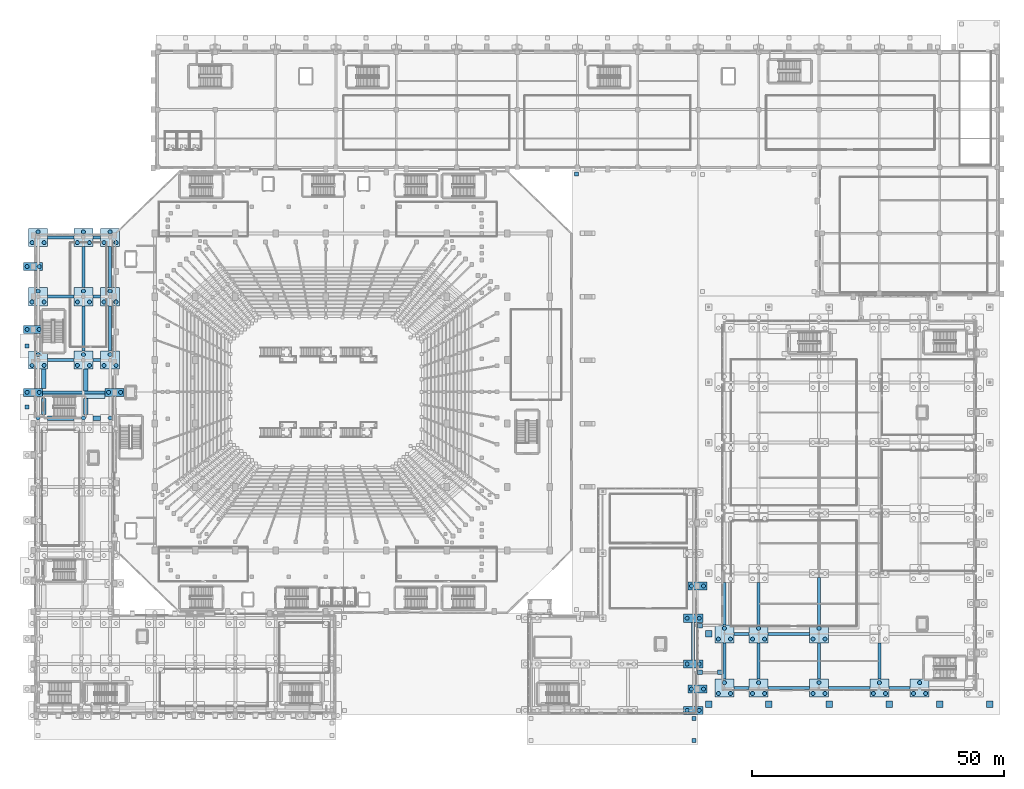
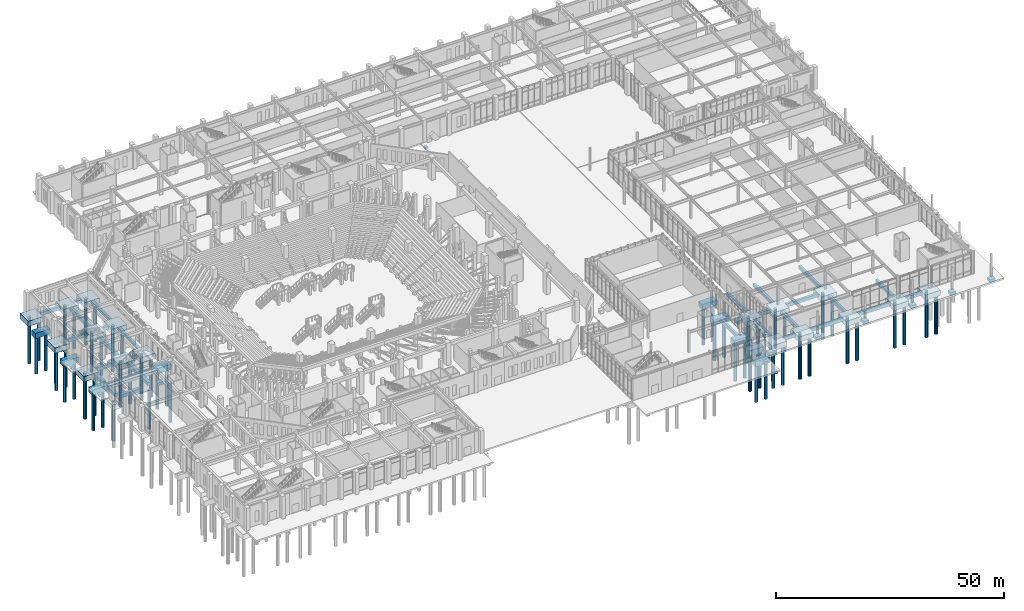
# One storey, part 3 of 143: 73 footings, 72 piles.
"""IFC4 building model written with IfcOpenShell, lengths in metres."""

from ifc_helpers import new_model, si_unit, derived_unit, direction, frame, origin, origin_2d, place, context, subcontext, project, spatial, rectangle, circle, extrude, material, layer, layer_set, material_profile, profile_set, type_object, element, save


model = new_model("IFC4")

# Units and contexts
model_context = context("Model", 3, precision=1e-05, world=origin(), true_north=direction((0.0, 1.0)))
body_context = subcontext(model_context, "Body", "Model", "MODEL_VIEW")
ifc_project = project(units=[si_unit("LENGTHUNIT", "METRE"), si_unit("AREAUNIT", "SQUARE_METRE"), si_unit("VOLUMEUNIT", "CUBIC_METRE"), si_unit("PLANEANGLEUNIT", "RADIAN"), si_unit("MASSUNIT", "GRAM", prefix="KILO"), derived_unit("THERMALTRANSMITTANCEUNIT", [(si_unit("MASSUNIT", "GRAM", prefix="KILO"), 1), (si_unit("TIMEUNIT", "SECOND"), -3), (si_unit("THERMODYNAMICTEMPERATUREUNIT", "KELVIN"), -1)])], contexts=[model_context])

# Site, building, storey
site_placement = place(None, origin())
site = spatial("IfcSite", under=ifc_project, at=site_placement, CompositionType="ELEMENT")
building_placement = place(site_placement, origin())
building = spatial("IfcBuilding", under=site, at=building_placement, Name="Valcora Ridge Arena", CompositionType="ELEMENT")
storey_placement = place(building_placement, origin())
storey = spatial("IfcBuildingStorey", under=building, at=storey_placement, Name="L00", CompositionType="ELEMENT", Elevation=0.0)

# Footings
ifc_material_1 = material(Name="Concrete C40/50", Category="concrete")
ifc_layer_1 = layer(ifc_material_1, 1.39990234375, Name="Concrete C40/50")
ifc_layer_set_1 = layer_set([ifc_layer_1], Name="Concrete C40/50")
footing_type_1 = type_object("IfcFootingType", Name="TY-FOOTING-PC-2P800", PredefinedType="PILE_CAP", material=ifc_layer_set_1)
for number, where, z_axis, x_axis, name in (
    (1, (131.0, 0.800048828125, -1.849853515625), (0.0, 0.0, 1.0), (1.0, 0.0, 0.0), "PC-2P800 FND-PC-0159"),
    (2, (131.0, 10.0, -1.849853515625), (0.0, 0.0, 1.0), (1.0, 0.0, 0.0), "PC-2P800 FND-PC-0163"),
    (3, (131.0, 19.10009765625, -1.849853515625), (0.0, 0.0, 1.0), (1.0, 0.0, 0.0), "PC-2P800 FND-PC-0165"),
    (4, (16.0, 64.0, -1.849853515625), (0.0, 0.0, 1.0), (1.0, 0.0, 0.0), "PC-2P800 FND-PC-0217"),
    (5, (-0.179931640625, 64.0, -1.849853515625), (0.0, 0.0, 1.0), (1.0, 0.0, 0.0), "PC-2P800 FND-PC-0254"),
    (6, (-0.179931640625, 76.5, -1.849853515625), (0.0, 0.0, 1.0), (1.0, 0.0, 0.0), "PC-2P800 FND-PC-0255"),
    (7, (-0.179931640625, 89.0, -1.849853515625), (0.0, 0.0, 1.0), (1.0, 0.0, 0.0), "PC-2P800 FND-PC-0256"),
    (8, (131.85009765625, 5.0, -1.849853515625), (0.0, 0.0, 1.0), (1.0, 0.0, 0.0), "PC-2P800 FND-PC-0257"),
    (9, (131.85009765625, 25.5, -1.849853515625), (0.0, 0.0, 1.0), (1.0, 0.0, 0.0), "PC-2P800 FND-PC-0258"),
):
    element("IfcFooting", number, at=place(storey_placement, frame(where, z_axis=z_axis, x_axis=x_axis)), inside=storey, type_object=footing_type_1, Name=name, PredefinedType="PILE_CAP", context=body_context, shape_type="SweptSolid", body=[
        extrude(rectangle(XDim=3.800048828125, YDim=1.60009765625, at=origin_2d()), origin(), (0.0, 0.0, 1.0), 1.39990234375),
    ])
ifc_layer_2 = layer(ifc_material_1, 1.39990234375, Name="Concrete C40/50")
ifc_layer_set_2 = layer_set([ifc_layer_2], Name="Concrete C40/50")
footing_type_2 = type_object("IfcFootingType", Name="TY-FOOTING-PC-3P800", PredefinedType="PILE_CAP", material=ifc_layer_set_2)
for number, where, z_axis, x_axis, name in (
    (10, (137.199951171875, 5.199951171875, -1.849853515625), (0.0, 0.0, 1.0), (1.0, 0.0, 0.0), "PC-3P800 FND-PC-0115"),
    (11, (137.199951171875, 16.0, -1.849853515625), (0.0, 0.0, 1.0), (1.0, 0.0, 0.0), "PC-3P800 FND-PC-0116"),
    (12, (144.0, 5.199951171875, -1.849853515625), (0.0, 0.0, 1.0), (1.0, 0.0, 0.0), "PC-3P800 FND-PC-0122"),
    (13, (144.0, 16.0, -1.849853515625), (0.0, 0.0, 1.0), (1.0, 0.0, 0.0), "PC-3P800 FND-PC-0123"),
    (14, (156.0, 5.199951171875, -1.849853515625), (0.0, 0.0, 1.0), (1.0, 0.0, 0.0), "PC-3P800 FND-PC-0129"),
    (15, (156.0, 16.0, -1.849853515625), (0.0, 0.0, 1.0), (1.0, 0.0, 0.0), "PC-3P800 FND-PC-0130"),
    (16, (168.0, 5.199951171875, -1.849853515625), (0.0, 0.0, 1.0), (1.0, 0.0, 0.0), "PC-3P800 FND-PC-0136"),
    (17, (176.0, 5.199951171875, -1.849853515625), (0.0, 0.0, 1.0), (1.0, 0.0, 0.0), "PC-3P800 FND-PC-0143"),
    (18, (0.800048828125, 70.39990234375, -1.849853515625), (0.0, 0.0, 1.0), (1.0, 0.0, 0.0), "PC-3P800 FND-PC-0195"),
    (19, (0.800048828125, 83.0, -1.849853515625), (0.0, 0.0, 1.0), (1.0, 0.0, 0.0), "PC-3P800 FND-PC-0196"),
    (20, (0.800048828125, 94.800048828125, -1.849853515625), (0.0, 0.0, 1.0), (1.0, 0.0, 0.0), "PC-3P800 FND-PC-0197"),
    (21, (9.800048828125, 70.39990234375, -1.849853515625), (0.0, 0.0, 1.0), (1.0, 0.0, 0.0), "PC-3P800 FND-PC-0201"),
    (22, (9.800048828125, 83.0, -1.849853515625), (0.0, 0.0, 1.0), (1.0, 0.0, 0.0), "PC-3P800 FND-PC-0202"),
    (23, (9.800048828125, 94.800048828125, -1.849853515625), (0.0, 0.0, 1.0), (1.0, 0.0, 0.0), "PC-3P800 FND-PC-0203"),
    (24, (15.10009765625, 70.39990234375, -1.849853515625), (0.0, 0.0, 1.0), (1.0, 0.0, 0.0), "PC-3P800 FND-PC-0207"),
    (25, (15.10009765625, 83.0, -1.849853515625), (0.0, 0.0, 1.0), (1.0, 0.0, 0.0), "PC-3P800 FND-PC-0208"),
    (26, (15.10009765625, 94.800048828125, -1.849853515625), (0.0, 0.0, 1.0), (1.0, 0.0, 0.0), "PC-3P800 FND-PC-0209"),
):
    element("IfcFooting", number, at=place(storey_placement, frame(where, z_axis=z_axis, x_axis=x_axis)), inside=storey, type_object=footing_type_2, Name=name, PredefinedType="PILE_CAP", context=body_context, shape_type="SweptSolid", body=[
        extrude(rectangle(XDim=3.800048828125, YDim=3.60009765625, at=origin_2d()), origin(), (0.0, 0.0, 1.0), 1.39990234375),
    ])
ifc_layer_3 = layer(ifc_material_1, 0.800048828125, Name="Concrete C40/50")
ifc_layer_set_3 = layer_set([ifc_layer_3], Name="Concrete C40/50")
footing_type_3 = type_object("IfcFootingType", Name="TY-FOOTING-PF-130", PredefinedType="PAD_FOOTING", material=ifc_layer_set_3)
for number, where, z_axis, x_axis, name in (
    (27, (134.050048828125, 2.050048828125, -1.25), (0.0, 0.0, 1.0), (1.0, 0.0, 0.0), "PF-130 FND-SF-0012"),
    (28, (134.050048828125, 16.0, -1.25), (0.0, 0.0, 1.0), (1.0, 0.0, 0.0), "PF-130 FND-SF-0013"),
    (29, (189.949951171875, 2.050048828125, -1.25), (0.0, 0.0, 1.0), (1.0, 0.0, 0.0), "PF-130 FND-SF-0019"),
    (30, (146.0, 2.050048828125, -1.25), (0.0, 0.0, 1.0), (1.0, 0.0, 0.0), "PF-130 FND-SF-0026"),
    (31, (158.0, 2.050048828125, -1.25), (0.0, 0.0, 1.0), (1.0, 0.0, 0.0), "PF-130 FND-SF-0027"),
    (32, (170.0, 2.050048828125, -1.25), (0.0, 0.0, 1.0), (1.0, 0.0, 0.0), "PF-130 FND-SF-0028"),
    (33, (180.0, 2.050048828125, -1.25), (0.0, 0.0, 1.0), (1.0, 0.0, 0.0), "PF-130 FND-SF-0029"),
):
    element("IfcFooting", number, at=place(storey_placement, frame(where, z_axis=z_axis, x_axis=x_axis)), inside=storey, type_object=footing_type_3, Name=name, PredefinedType="PAD_FOOTING", context=body_context, shape_type="SweptSolid", body=[
        extrude(rectangle(XDim=1.300048828125, YDim=1.300048828125, at=origin_2d()), origin(), (0.0, 0.0, 1.0), 0.800048828125),
    ])
ifc_layer_4 = layer(ifc_material_1, 0.800048828125, Name="Concrete C40/50")
ifc_layer_set_4 = layer_set([ifc_layer_4], Name="Concrete C40/50")
footing_type_4 = type_object("IfcFootingType", Name="TY-FOOTING-SF-BRG-900", PredefinedType="STRIP_FOOTING", material=ifc_layer_set_4)
for number, where, z_axis, x_axis, name in (
    (34, (132.35009765625, 8.35009765625, -1.25), (0.0, 0.0, 1.0), (1.0, 0.0, 0.0), "SF-BRG-900 FND-SF-0044"),
    (35, (136.300048828125, 8.35009765625, -1.25), (0.0, 0.0, 1.0), (1.0, 0.0, 0.0), "SF-BRG-900 FND-SF-0045"),
    (36, (132.35009765625, 17.64990234375, -1.25), (0.0, 0.0, 1.0), (1.0, 0.0, 0.0), "SF-BRG-900 FND-SF-0046"),
):
    element("IfcFooting", number, at=place(storey_placement, frame(where, z_axis=z_axis, x_axis=x_axis)), inside=storey, type_object=footing_type_4, Name=name, PredefinedType="STRIP_FOOTING", context=body_context, shape_type="SweptSolid", body=[
        extrude(rectangle(XDim=0.89990234375, YDim=0.89990234375, at=origin_2d()), origin(), (0.0, 0.0, 1.0), 0.800048828125),
    ])
ifc_material_2 = material(Name="Fire-resisting reinforced concrete enclosure C40/50 200 mm", Category="concrete")
ifc_layer_5 = layer(ifc_material_2, 0.800048828125, Name="Fire-resisting reinforced concrete enclosure C40/50 200 mm")
ifc_layer_set_5 = layer_set([ifc_layer_5], Name="Fire-resisting reinforced concrete enclosure C40/50 200 mm")
footing_type_5 = type_object("IfcFootingType", Name="TY-FOOTING-SF-ES-900", PredefinedType="STRIP_FOOTING", material=ifc_layer_set_5)
footing_1_placement = place(storey_placement, frame((5.300048828125, 58.889892578125, -1.25), z_axis=(0.0, 0.0, 1.0), x_axis=(1.0, 0.0, 0.0)))
element("IfcFooting", 37, at=footing_1_placement, inside=storey, type_object=footing_type_5, Name="SF-ES-900 FND-SF-0072", PredefinedType="STRIP_FOOTING", context=body_context, shape_type="SweptSolid", body=[
    extrude(rectangle(XDim=5.197998046875, YDim=0.89990234375, at=origin_2d()), origin(), (0.0, 0.0, 1.0), 0.800048828125),
])
footing_2_placement = place(storey_placement, frame((12.449951171875, 58.889892578125, -1.25), z_axis=(0.0, 0.0, 1.0), x_axis=(1.0, 0.0, 0.0)))
element("IfcFooting", 38, at=footing_2_placement, inside=storey, type_object=footing_type_5, Name="SF-ES-900 FND-SF-0073", PredefinedType="STRIP_FOOTING", context=body_context, shape_type="SweptSolid", body=[
    extrude(rectangle(XDim=1.498046875, YDim=0.89990234375, at=origin_2d()), origin(), (0.0, 0.0, 1.0), 0.800048828125),
])
footing_3_placement = place(storey_placement, frame((7.909912109375, 63.248046875, -1.25), z_axis=(0.0, 0.0, 1.0), x_axis=(1.0, 0.0, 0.0)))
element("IfcFooting", 39, at=footing_3_placement, inside=storey, type_object=footing_type_5, Name="SF-ES-900 FND-SF-0074", PredefinedType="STRIP_FOOTING", context=body_context, shape_type="SweptSolid", body=[
    extrude(rectangle(XDim=12.3779296875, YDim=0.89990234375, at=origin_2d()), origin(), (0.0, 0.0, 1.0), 0.800048828125),
])
ifc_layer_6 = layer(ifc_material_2, 0.800048828125, Name="Fire-resisting reinforced concrete enclosure C40/50 200 mm")
ifc_layer_set_6 = layer_set([ifc_layer_6], Name="Fire-resisting reinforced concrete enclosure C40/50 200 mm")
footing_type_6 = type_object("IfcFootingType", Name="TY-FOOTING-SF-ESW-900", PredefinedType="STRIP_FOOTING", material=ifc_layer_set_6)
footing_4_placement = place(storey_placement, frame((1.889892578125, 61.198974609375, -1.25), z_axis=(0.0, 0.0, 1.0), x_axis=(1.0, 0.0, 0.0)))
element("IfcFooting", 40, at=footing_4_placement, inside=storey, type_object=footing_type_6, Name="SF-ESW-900 FND-SF-0076", PredefinedType="STRIP_FOOTING", context=body_context, shape_type="SweptSolid", body=[
    extrude(rectangle(XDim=0.89990234375, YDim=3.196044921875, at=origin_2d()), origin(), (0.0, 0.0, 1.0), 0.800048828125),
])
footing_5_placement = place(storey_placement, frame((1.889892578125, 66.699951171875, -1.25), z_axis=(0.0, 0.0, 1.0), x_axis=(1.0, 0.0, 0.0)))
element("IfcFooting", 41, at=footing_5_placement, inside=storey, type_object=footing_type_6, Name="SF-ESW-900 FND-SF-0077", PredefinedType="STRIP_FOOTING", context=body_context, shape_type="SweptSolid", body=[
    extrude(rectangle(XDim=0.89990234375, YDim=3.798095703125, at=origin_2d()), origin(), (0.0, 0.0, 1.0), 0.800048828125),
])
footing_6_placement = place(storey_placement, frame((10.27001953125, 61.198974609375, -1.25), z_axis=(0.0, 0.0, 1.0), x_axis=(1.0, 0.0, 0.0)))
element("IfcFooting", 42, at=footing_6_placement, inside=storey, type_object=footing_type_6, Name="SF-ESW-900 FND-SF-0078", PredefinedType="STRIP_FOOTING", context=body_context, shape_type="SweptSolid", body=[
    extrude(rectangle(XDim=0.89990234375, YDim=3.196044921875, at=origin_2d()), origin(), (0.0, 0.0, 1.0), 0.800048828125),
])
footing_7_placement = place(storey_placement, frame((10.27001953125, 66.449951171875, -1.25), z_axis=(0.0, 0.0, 1.0), x_axis=(1.0, 0.0, 0.0)))
element("IfcFooting", 43, at=footing_7_placement, inside=storey, type_object=footing_type_6, Name="SF-ESW-900 FND-SF-0079", PredefinedType="STRIP_FOOTING", context=body_context, shape_type="SweptSolid", body=[
    extrude(rectangle(XDim=0.89990234375, YDim=4.298095703125, at=origin_2d()), origin(), (0.0, 0.0, 1.0), 0.800048828125),
])
ifc_layer_7 = layer(ifc_material_1, 0.60009765625, Name="Concrete C40/50")
ifc_layer_set_7 = layer_set([ifc_layer_7], Name="Concrete C40/50")
footing_type_7 = type_object("IfcFootingType", Name="TY-FOOTING-SF-PVG-800", PredefinedType="STRIP_FOOTING", material=ifc_layer_set_7)
for number, where, z_axis, x_axis, name in (
    (44, (131.199951171875, -5.199951171875, -1.0), (0.0, 0.0, 1.0), (1.0, 0.0, 0.0), "SF-PVG-800 FND-PV-0010"),
    (45, (131.199951171875, -0.800048828125, -1.0), (0.0, 0.0, 1.0), (1.0, 0.0, 0.0), "SF-PVG-800 FND-PV-0011"),
    (46, (107.800048828125, 107.39990234375, -1.0), (0.0, 0.0, 1.0), (1.0, 0.0, 0.0), "SF-PVG-800 FND-PV-0015"),
    (47, (-1.39990234375, 61.10009765625, -0.840087890625), (0.0, 0.0, 1.0), (1.0, 0.0, 0.0), "SF-PVG-800 FND-XP-0002"),
    (48, (-1.39990234375, 73.199951171875, -0.840087890625), (0.0, 0.0, 1.0), (1.0, 0.0, 0.0), "SF-PVG-800 FND-XP-0003"),
):
    element("IfcFooting", number, at=place(storey_placement, frame(where, z_axis=z_axis, x_axis=x_axis)), inside=storey, type_object=footing_type_7, Name=name, PredefinedType="STRIP_FOOTING", context=body_context, shape_type="SweptSolid", body=[
        extrude(rectangle(XDim=0.800048828125, YDim=0.800048828125, at=origin_2d()), origin(), (0.0, 0.0, 1.0), 0.60009765625),
    ])
ifc_layer_8 = layer(ifc_material_1, 0.89990234375, Name="Concrete C40/50")
ifc_layer_set_8 = layer_set([ifc_layer_8], Name="Concrete C40/50")
footing_type_8 = type_object("IfcFootingType", Name="TY-FOOTING-TBX-015", PredefinedType="FOOTING_BEAM", material=ifc_layer_set_8)
for number, where, z_axis, x_axis, name in (
    (49, (12.449951171875, 70.39990234375, -1.349853515625), (0.0, 0.0, 1.0), (1.0, 0.0, 0.0), "TBX-015 FND-TB-0235"),
    (50, (12.449951171875, 83.0, -1.349853515625), (0.0, 0.0, 1.0), (1.0, 0.0, 0.0), "TBX-015 FND-TB-0237"),
    (51, (12.449951171875, 94.800048828125, -1.349853515625), (0.0, 0.0, 1.0), (1.0, 0.0, 0.0), "TBX-015 FND-TB-0239"),
):
    element("IfcFooting", number, at=place(storey_placement, frame(where, z_axis=z_axis, x_axis=x_axis)), inside=storey, type_object=footing_type_8, Name=name, PredefinedType="FOOTING_BEAM", context=body_context, shape_type="SweptSolid", body=[
        extrude(rectangle(XDim=1.498046875, YDim=0.60009765625, at=origin_2d()), origin(), (0.0, 0.0, 1.0), 0.89990234375),
    ])
ifc_layer_9 = layer(ifc_material_1, 0.89990234375, Name="Concrete C40/50")
ifc_layer_set_9 = layer_set([ifc_layer_9], Name="Concrete C40/50")
footing_type_9 = type_object("IfcFootingType", Name="TY-FOOTING-TBX-030", PredefinedType="FOOTING_BEAM", material=ifc_layer_set_9)
for number, where, z_axis, x_axis, name in (
    (52, (140.60009765625, 5.199951171875, -1.349853515625), (0.0, 0.0, 1.0), (1.0, 0.0, 0.0), "TBX-030 FND-TB-0168"),
    (53, (140.60009765625, 16.0, -1.349853515625), (0.0, 0.0, 1.0), (1.0, 0.0, 0.0), "TBX-030 FND-TB-0173"),
):
    element("IfcFooting", number, at=place(storey_placement, frame(where, z_axis=z_axis, x_axis=x_axis)), inside=storey, type_object=footing_type_9, Name=name, PredefinedType="FOOTING_BEAM", context=body_context, shape_type="SweptSolid", body=[
        extrude(rectangle(XDim=2.998046875, YDim=0.60009765625, at=origin_2d()), origin(), (0.0, 0.0, 1.0), 0.89990234375),
    ])
ifc_layer_10 = layer(ifc_material_1, 0.89990234375, Name="Concrete C40/50")
ifc_layer_set_10 = layer_set([ifc_layer_10], Name="Concrete C40/50")
footing_type_10 = type_object("IfcFootingType", Name="TY-FOOTING-TBX-042", PredefinedType="FOOTING_BEAM", material=ifc_layer_set_10)
footing_8_placement = place(storey_placement, frame((172.0, 5.199951171875, -1.349853515625), z_axis=(0.0, 0.0, 1.0), x_axis=(1.0, 0.0, 0.0)))
element("IfcFooting", 54, at=footing_8_placement, inside=storey, type_object=footing_type_10, Name="TBX-042 FND-TB-0171", PredefinedType="FOOTING_BEAM", context=body_context, shape_type="SweptSolid", body=[
    extrude(rectangle(XDim=4.197998046875, YDim=0.60009765625, at=origin_2d()), origin(), (0.0, 0.0, 1.0), 0.89990234375),
])
ifc_layer_11 = layer(ifc_material_1, 0.89990234375, Name="Concrete C40/50")
ifc_layer_set_11 = layer_set([ifc_layer_11], Name="Concrete C40/50")
footing_type_11 = type_object("IfcFootingType", Name="TY-FOOTING-TBX-052", PredefinedType="FOOTING_BEAM", material=ifc_layer_set_11)
for number, where, z_axis, x_axis, name in (
    (55, (5.300048828125, 70.39990234375, -1.349853515625), (0.0, 0.0, 1.0), (1.0, 0.0, 0.0), "TBX-052 FND-TB-0234"),
    (56, (5.300048828125, 83.0, -1.349853515625), (0.0, 0.0, 1.0), (1.0, 0.0, 0.0), "TBX-052 FND-TB-0236"),
    (57, (5.300048828125, 94.800048828125, -1.349853515625), (0.0, 0.0, 1.0), (1.0, 0.0, 0.0), "TBX-052 FND-TB-0238"),
):
    element("IfcFooting", number, at=place(storey_placement, frame(where, z_axis=z_axis, x_axis=x_axis)), inside=storey, type_object=footing_type_11, Name=name, PredefinedType="FOOTING_BEAM", context=body_context, shape_type="SweptSolid", body=[
        extrude(rectangle(XDim=5.197998046875, YDim=0.60009765625, at=origin_2d()), origin(), (0.0, 0.0, 1.0), 0.89990234375),
    ])
ifc_layer_12 = layer(ifc_material_1, 0.89990234375, Name="Concrete C40/50")
ifc_layer_set_12 = layer_set([ifc_layer_12], Name="Concrete C40/50")
footing_type_12 = type_object("IfcFootingType", Name="TY-FOOTING-TBX-082", PredefinedType="FOOTING_BEAM", material=ifc_layer_set_12)
for number, where, z_axis, x_axis, name in (
    (58, (150.0, 5.199951171875, -1.349853515625), (0.0, 0.0, 1.0), (1.0, 0.0, 0.0), "TBX-082 FND-TB-0169"),
    (59, (162.0, 5.199951171875, -1.349853515625), (0.0, 0.0, 1.0), (1.0, 0.0, 0.0), "TBX-082 FND-TB-0170"),
    (60, (150.0, 16.0, -1.349853515625), (0.0, 0.0, 1.0), (1.0, 0.0, 0.0), "TBX-082 FND-TB-0174"),
):
    element("IfcFooting", number, at=place(storey_placement, frame(where, z_axis=z_axis, x_axis=x_axis)), inside=storey, type_object=footing_type_12, Name=name, PredefinedType="FOOTING_BEAM", context=body_context, shape_type="SweptSolid", body=[
        extrude(rectangle(XDim=8.197998046875, YDim=0.60009765625, at=origin_2d()), origin(), (0.0, 0.0, 1.0), 0.89990234375),
    ])
ifc_layer_13 = layer(ifc_material_1, 0.89990234375, Name="Concrete C40/50")
ifc_layer_set_13 = layer_set([ifc_layer_13], Name="Concrete C40/50")
footing_type_13 = type_object("IfcFootingType", Name="TY-FOOTING-TBX-124", PredefinedType="FOOTING_BEAM", material=ifc_layer_set_13)
footing_9_placement = place(storey_placement, frame((7.909912109375, 64.0, -1.349853515625), z_axis=(0.0, 0.0, 1.0), x_axis=(1.0, 0.0, 0.0)))
element("IfcFooting", 61, at=footing_9_placement, inside=storey, type_object=footing_type_13, Name="TBX-124 FND-TB-0240", PredefinedType="FOOTING_BEAM", context=body_context, shape_type="SweptSolid", body=[
    extrude(rectangle(XDim=12.3779296875, YDim=0.60009765625, at=origin_2d()), origin(), (0.0, 0.0, 1.0), 0.89990234375),
])
ifc_layer_14 = layer(ifc_material_1, 0.89990234375, Name="Concrete C40/50")
ifc_layer_set_14 = layer_set([ifc_layer_14], Name="Concrete C40/50")
footing_type_14 = type_object("IfcFootingType", Name="TY-FOOTING-TBY-072", PredefinedType="FOOTING_BEAM", material=ifc_layer_set_14)
for number, where, z_axis, x_axis, name in (
    (62, (137.199951171875, 10.60009765625, -1.349853515625), (0.0, 0.0, 1.0), (1.0, 0.0, 0.0), "TBY-072 FND-TB-0241"),
    (63, (144.0, 10.60009765625, -1.349853515625), (0.0, 0.0, 1.0), (1.0, 0.0, 0.0), "TBY-072 FND-TB-0247"),
    (64, (156.0, 10.60009765625, -1.349853515625), (0.0, 0.0, 1.0), (1.0, 0.0, 0.0), "TBY-072 FND-TB-0253"),
    (65, (168.0, 10.60009765625, -1.349853515625), (0.0, 0.0, 1.0), (1.0, 0.0, 0.0), "TBY-072 FND-TB-0259"),
):
    element("IfcFooting", number, at=place(storey_placement, frame(where, z_axis=z_axis, x_axis=x_axis)), inside=storey, type_object=footing_type_14, Name=name, PredefinedType="FOOTING_BEAM", context=body_context, shape_type="SweptSolid", body=[
        extrude(rectangle(XDim=0.60009765625, YDim=7.197998046875, at=origin_2d()), origin(), (0.0, 0.0, 1.0), 0.89990234375),
    ])
ifc_layer_15 = layer(ifc_material_1, 0.89990234375, Name="Concrete C40/50")
ifc_layer_set_15 = layer_set([ifc_layer_15], Name="Concrete C40/50")
footing_type_15 = type_object("IfcFootingType", Name="TY-FOOTING-TBY-075", PredefinedType="FOOTING_BEAM", material=ifc_layer_set_15)
footing_10_placement = place(storey_placement, frame((131.0, 14.550048828125, -1.349853515625), z_axis=(0.0, 0.0, 1.0), x_axis=(1.0, 0.0, 0.0)))
element("IfcFooting", 66, at=footing_10_placement, inside=storey, type_object=footing_type_15, Name="TBY-075 FND-TB-0273", PredefinedType="FOOTING_BEAM", context=body_context, shape_type="SweptSolid", body=[
    extrude(rectangle(XDim=0.60009765625, YDim=7.498046875, at=origin_2d()), origin(), (0.0, 0.0, 1.0), 0.89990234375),
])
ifc_layer_16 = layer(ifc_material_1, 0.89990234375, Name="Concrete C40/50")
ifc_layer_set_16 = layer_set([ifc_layer_16], Name="Concrete C40/50")
footing_type_16 = type_object("IfcFootingType", Name="TY-FOOTING-TBY-082", PredefinedType="FOOTING_BEAM", material=ifc_layer_set_16)
for number, where, z_axis, x_axis, name in (
    (67, (15.10009765625, 88.89990234375, -1.349853515625), (0.0, 0.0, 1.0), (1.0, 0.0, 0.0), "TBY-082 FND-TB-0281"),
    (68, (9.800048828125, 88.89990234375, -1.349853515625), (0.0, 0.0, 1.0), (1.0, 0.0, 0.0), "TBY-082 FND-TB-0295"),
):
    element("IfcFooting", number, at=place(storey_placement, frame(where, z_axis=z_axis, x_axis=x_axis)), inside=storey, type_object=footing_type_16, Name=name, PredefinedType="FOOTING_BEAM", context=body_context, shape_type="SweptSolid", body=[
        extrude(rectangle(XDim=0.60009765625, YDim=8.197998046875, at=origin_2d()), origin(), (0.0, 0.0, 1.0), 0.89990234375),
    ])
ifc_layer_17 = layer(ifc_material_1, 0.89990234375, Name="Concrete C40/50")
ifc_layer_set_17 = layer_set([ifc_layer_17], Name="Concrete C40/50")
footing_type_17 = type_object("IfcFootingType", Name="TY-FOOTING-TBY-084", PredefinedType="FOOTING_BEAM", material=ifc_layer_set_17)
for number, where, z_axis, x_axis, name in (
    (69, (137.199951171875, 22.0, -1.349853515625), (0.0, 0.0, 1.0), (1.0, 0.0, 0.0), "TBY-084 FND-TB-0242"),
    (70, (144.0, 22.0, -1.349853515625), (0.0, 0.0, 1.0), (1.0, 0.0, 0.0), "TBY-084 FND-TB-0248"),
):
    element("IfcFooting", number, at=place(storey_placement, frame(where, z_axis=z_axis, x_axis=x_axis)), inside=storey, type_object=footing_type_17, Name=name, PredefinedType="FOOTING_BEAM", context=body_context, shape_type="SweptSolid", body=[
        extrude(rectangle(XDim=0.60009765625, YDim=8.39794921875, at=origin_2d()), origin(), (0.0, 0.0, 1.0), 0.89990234375),
    ])
ifc_layer_18 = layer(ifc_material_1, 0.89990234375, Name="Concrete C40/50")
ifc_layer_set_18 = layer_set([ifc_layer_18], Name="Concrete C40/50")
footing_type_18 = type_object("IfcFootingType", Name="TY-FOOTING-TBY-090", PredefinedType="FOOTING_BEAM", material=ifc_layer_set_18)
for number, where, z_axis, x_axis, name in (
    (71, (15.10009765625, 76.699951171875, -1.349853515625), (0.0, 0.0, 1.0), (1.0, 0.0, 0.0), "TBY-090 FND-TB-0280"),
    (72, (9.800048828125, 76.699951171875, -1.349853515625), (0.0, 0.0, 1.0), (1.0, 0.0, 0.0), "TBY-090 FND-TB-0294"),
):
    element("IfcFooting", number, at=place(storey_placement, frame(where, z_axis=z_axis, x_axis=x_axis)), inside=storey, type_object=footing_type_18, Name=name, PredefinedType="FOOTING_BEAM", context=body_context, shape_type="SweptSolid", body=[
        extrude(rectangle(XDim=0.60009765625, YDim=8.998046875, at=origin_2d()), origin(), (0.0, 0.0, 1.0), 0.89990234375),
    ])
ifc_layer_19 = layer(ifc_material_1, 0.89990234375, Name="Concrete C40/50")
ifc_layer_set_19 = layer_set([ifc_layer_19], Name="Concrete C40/50")
footing_type_19 = type_object("IfcFootingType", Name="TY-FOOTING-TBY-094", PredefinedType="FOOTING_BEAM", material=ifc_layer_set_19)
footing_11_placement = place(storey_placement, frame((156.0, 22.5, -1.349853515625), z_axis=(0.0, 0.0, 1.0), x_axis=(1.0, 0.0, 0.0)))
element("IfcFooting", 73, at=footing_11_placement, inside=storey, type_object=footing_type_19, Name="TBY-094 FND-TB-0254", PredefinedType="FOOTING_BEAM", context=body_context, shape_type="SweptSolid", body=[
    extrude(rectangle(XDim=0.60009765625, YDim=9.39794921875, at=origin_2d()), origin(), (0.0, 0.0, 1.0), 0.89990234375),
])

# Piles
ifc_material_3 = material(Name="Concrete C35/45", Category="concrete")
ifc_material_profile_1 = material_profile(ifc_material_3, circle(Radius=0.39990234375, at=origin_2d()), Name="BORED PILE D800")
ifc_profile_set_1 = profile_set([ifc_material_profile_1], Name="Concrete C35/45")
pile_type_1 = type_object("IfcPileType", Name="TY-PILE-P-800A", PredefinedType="BORED", material=ifc_profile_set_1)
for number, where, z_axis, x_axis, name in (
    (74, (136.0, 4.14990234375, -1.75), (0.0, 0.0, -1.0), (1.0, 0.0, 0.0), "P-800A FND-PL-P-800A-0001"),
    (75, (138.39990234375, 4.14990234375, -1.75), (0.0, 0.0, -1.0), (1.0, 0.0, 0.0), "P-800A FND-PL-P-800A-0002"),
    (76, (137.199951171875, 6.300048828125, -1.75), (0.0, 0.0, -1.0), (1.0, 0.0, 0.0), "P-800A FND-PL-P-800A-0003"),
    (77, (136.0, 14.949951171875, -1.75), (0.0, 0.0, -1.0), (1.0, 0.0, 0.0), "P-800A FND-PL-P-800A-0004"),
    (78, (138.39990234375, 14.949951171875, -1.75), (0.0, 0.0, -1.0), (1.0, 0.0, 0.0), "P-800A FND-PL-P-800A-0005"),
    (79, (137.199951171875, 17.10009765625, -1.75), (0.0, 0.0, -1.0), (1.0, 0.0, 0.0), "P-800A FND-PL-P-800A-0006"),
    (80, (142.800048828125, 4.14990234375, -1.75), (0.0, 0.0, -1.0), (1.0, 0.0, 0.0), "P-800A FND-PL-P-800A-0022"),
    (81, (145.199951171875, 4.14990234375, -1.75), (0.0, 0.0, -1.0), (1.0, 0.0, 0.0), "P-800A FND-PL-P-800A-0023"),
    (82, (144.0, 6.300048828125, -1.75), (0.0, 0.0, -1.0), (1.0, 0.0, 0.0), "P-800A FND-PL-P-800A-0024"),
    (83, (142.800048828125, 14.949951171875, -1.75), (0.0, 0.0, -1.0), (1.0, 0.0, 0.0), "P-800A FND-PL-P-800A-0025"),
    (84, (145.199951171875, 14.949951171875, -1.75), (0.0, 0.0, -1.0), (1.0, 0.0, 0.0), "P-800A FND-PL-P-800A-0026"),
    (85, (144.0, 17.10009765625, -1.75), (0.0, 0.0, -1.0), (1.0, 0.0, 0.0), "P-800A FND-PL-P-800A-0027"),
    (86, (154.800048828125, 4.14990234375, -1.75), (0.0, 0.0, -1.0), (1.0, 0.0, 0.0), "P-800A FND-PL-P-800A-0043"),
    (87, (157.199951171875, 4.14990234375, -1.75), (0.0, 0.0, -1.0), (1.0, 0.0, 0.0), "P-800A FND-PL-P-800A-0044"),
    (88, (156.0, 6.300048828125, -1.75), (0.0, 0.0, -1.0), (1.0, 0.0, 0.0), "P-800A FND-PL-P-800A-0045"),
    (89, (154.800048828125, 14.949951171875, -1.75), (0.0, 0.0, -1.0), (1.0, 0.0, 0.0), "P-800A FND-PL-P-800A-0046"),
    (90, (157.199951171875, 14.949951171875, -1.75), (0.0, 0.0, -1.0), (1.0, 0.0, 0.0), "P-800A FND-PL-P-800A-0047"),
    (91, (156.0, 17.10009765625, -1.75), (0.0, 0.0, -1.0), (1.0, 0.0, 0.0), "P-800A FND-PL-P-800A-0048"),
    (92, (166.800048828125, 4.14990234375, -1.75), (0.0, 0.0, -1.0), (1.0, 0.0, 0.0), "P-800A FND-PL-P-800A-0055"),
    (93, (169.199951171875, 4.14990234375, -1.75), (0.0, 0.0, -1.0), (1.0, 0.0, 0.0), "P-800A FND-PL-P-800A-0056"),
    (94, (168.0, 6.300048828125, -1.75), (0.0, 0.0, -1.0), (1.0, 0.0, 0.0), "P-800A FND-PL-P-800A-0057"),
    (95, (174.800048828125, 4.14990234375, -1.75), (0.0, 0.0, -1.0), (1.0, 0.0, 0.0), "P-800A FND-PL-P-800A-0067"),
    (96, (177.199951171875, 4.14990234375, -1.75), (0.0, 0.0, -1.0), (1.0, 0.0, 0.0), "P-800A FND-PL-P-800A-0068"),
    (97, (176.0, 6.300048828125, -1.75), (0.0, 0.0, -1.0), (1.0, 0.0, 0.0), "P-800A FND-PL-P-800A-0069"),
    (98, (0.800048828125, 58.89990234375, -1.75), (0.0, 0.0, -1.0), (1.0, 0.0, 0.0), "P-800A FND-PL-P-800A-0186"),
    (99, (-0.39990234375, 69.35009765625, -1.75), (0.0, 0.0, -1.0), (1.0, 0.0, 0.0), "P-800A FND-PL-P-800A-0187"),
    (100, (2.0, 69.35009765625, -1.75), (0.0, 0.0, -1.0), (1.0, 0.0, 0.0), "P-800A FND-PL-P-800A-0188"),
    (101, (0.800048828125, 71.5, -1.75), (0.0, 0.0, -1.0), (1.0, 0.0, 0.0), "P-800A FND-PL-P-800A-0189"),
    (102, (-0.39990234375, 81.949951171875, -1.75), (0.0, 0.0, -1.0), (1.0, 0.0, 0.0), "P-800A FND-PL-P-800A-0190"),
    (103, (2.0, 81.949951171875, -1.75), (0.0, 0.0, -1.0), (1.0, 0.0, 0.0), "P-800A FND-PL-P-800A-0191"),
    (104, (0.800048828125, 84.10009765625, -1.75), (0.0, 0.0, -1.0), (1.0, 0.0, 0.0), "P-800A FND-PL-P-800A-0192"),
    (105, (-0.39990234375, 93.75, -1.75), (0.0, 0.0, -1.0), (1.0, 0.0, 0.0), "P-800A FND-PL-P-800A-0193"),
    (106, (2.0, 93.75, -1.75), (0.0, 0.0, -1.0), (1.0, 0.0, 0.0), "P-800A FND-PL-P-800A-0194"),
    (107, (0.800048828125, 95.89990234375, -1.75), (0.0, 0.0, -1.0), (1.0, 0.0, 0.0), "P-800A FND-PL-P-800A-0195"),
    (108, (9.800048828125, 58.89990234375, -1.75), (0.0, 0.0, -1.0), (1.0, 0.0, 0.0), "P-800A FND-PL-P-800A-0204"),
    (109, (8.60009765625, 69.35009765625, -1.75), (0.0, 0.0, -1.0), (1.0, 0.0, 0.0), "P-800A FND-PL-P-800A-0205"),
    (110, (11.0, 69.35009765625, -1.75), (0.0, 0.0, -1.0), (1.0, 0.0, 0.0), "P-800A FND-PL-P-800A-0206"),
    (111, (9.800048828125, 71.5, -1.75), (0.0, 0.0, -1.0), (1.0, 0.0, 0.0), "P-800A FND-PL-P-800A-0207"),
    (112, (8.60009765625, 81.949951171875, -1.75), (0.0, 0.0, -1.0), (1.0, 0.0, 0.0), "P-800A FND-PL-P-800A-0208"),
    (113, (11.0, 81.949951171875, -1.75), (0.0, 0.0, -1.0), (1.0, 0.0, 0.0), "P-800A FND-PL-P-800A-0209"),
    (114, (9.800048828125, 84.10009765625, -1.75), (0.0, 0.0, -1.0), (1.0, 0.0, 0.0), "P-800A FND-PL-P-800A-0210"),
    (115, (8.60009765625, 93.75, -1.75), (0.0, 0.0, -1.0), (1.0, 0.0, 0.0), "P-800A FND-PL-P-800A-0211"),
    (116, (11.0, 93.75, -1.75), (0.0, 0.0, -1.0), (1.0, 0.0, 0.0), "P-800A FND-PL-P-800A-0212"),
    (117, (9.800048828125, 95.89990234375, -1.75), (0.0, 0.0, -1.0), (1.0, 0.0, 0.0), "P-800A FND-PL-P-800A-0213"),
    (118, (15.10009765625, 58.89990234375, -1.75), (0.0, 0.0, -1.0), (1.0, 0.0, 0.0), "P-800A FND-PL-P-800A-0222"),
    (119, (13.89990234375, 69.35009765625, -1.75), (0.0, 0.0, -1.0), (1.0, 0.0, 0.0), "P-800A FND-PL-P-800A-0223"),
    (120, (16.300048828125, 69.35009765625, -1.75), (0.0, 0.0, -1.0), (1.0, 0.0, 0.0), "P-800A FND-PL-P-800A-0224"),
    (121, (15.10009765625, 71.5, -1.75), (0.0, 0.0, -1.0), (1.0, 0.0, 0.0), "P-800A FND-PL-P-800A-0225"),
    (122, (13.89990234375, 81.949951171875, -1.75), (0.0, 0.0, -1.0), (1.0, 0.0, 0.0), "P-800A FND-PL-P-800A-0226"),
    (123, (16.300048828125, 81.949951171875, -1.75), (0.0, 0.0, -1.0), (1.0, 0.0, 0.0), "P-800A FND-PL-P-800A-0227"),
    (124, (15.10009765625, 84.10009765625, -1.75), (0.0, 0.0, -1.0), (1.0, 0.0, 0.0), "P-800A FND-PL-P-800A-0228"),
    (125, (13.89990234375, 93.75, -1.75), (0.0, 0.0, -1.0), (1.0, 0.0, 0.0), "P-800A FND-PL-P-800A-0229"),
    (126, (16.300048828125, 93.75, -1.75), (0.0, 0.0, -1.0), (1.0, 0.0, 0.0), "P-800A FND-PL-P-800A-0230"),
    (127, (15.10009765625, 95.89990234375, -1.75), (0.0, 0.0, -1.0), (1.0, 0.0, 0.0), "P-800A FND-PL-P-800A-0231"),
):
    element("IfcPile", number, at=place(storey_placement, frame(where, z_axis=z_axis, x_axis=x_axis)), inside=storey, type_object=pile_type_1, Name=name, PredefinedType="BORED", context=body_context, shape_type="SweptSolid", body=[
        extrude(circle(Radius=0.39990234375, at=origin_2d()), origin(), (0.0, 0.0, 1.0), 10.5),
    ])
ifc_material_profile_2 = material_profile(ifc_material_3, circle(Radius=0.39990234375, at=origin_2d()), Name="BORED PILE D800")
ifc_profile_set_2 = profile_set([ifc_material_profile_2], Name="Concrete C35/45")
pile_type_2 = type_object("IfcPileType", Name="TY-PILE-P-800B", PredefinedType="BORED", material=ifc_profile_set_2)
for number, where, z_axis, x_axis, name in (
    (128, (129.800048828125, 0.800048828125, -1.75), (0.0, 0.0, -1.0), (1.0, 0.0, 0.0), "P-800B FND-PL-P-800B-0019"),
    (129, (132.199951171875, 0.800048828125, -1.75), (0.0, 0.0, -1.0), (1.0, 0.0, 0.0), "P-800B FND-PL-P-800B-0020"),
    (130, (129.800048828125, 10.0, -1.75), (0.0, 0.0, -1.0), (1.0, 0.0, 0.0), "P-800B FND-PL-P-800B-0027"),
    (131, (132.199951171875, 10.0, -1.75), (0.0, 0.0, -1.0), (1.0, 0.0, 0.0), "P-800B FND-PL-P-800B-0028"),
    (132, (129.800048828125, 19.10009765625, -1.75), (0.0, 0.0, -1.0), (1.0, 0.0, 0.0), "P-800B FND-PL-P-800B-0031"),
    (133, (132.199951171875, 19.10009765625, -1.75), (0.0, 0.0, -1.0), (1.0, 0.0, 0.0), "P-800B FND-PL-P-800B-0032"),
    (134, (14.800048828125, 64.0, -1.75), (0.0, 0.0, -1.0), (1.0, 0.0, 0.0), "P-800B FND-PL-P-800B-0041"),
    (135, (17.199951171875, 64.0, -1.75), (0.0, 0.0, -1.0), (1.0, 0.0, 0.0), "P-800B FND-PL-P-800B-0042"),
    (136, (-1.3798828125, 64.0, -1.75), (0.0, 0.0, -1.0), (1.0, 0.0, 0.0), "P-800B FND-PL-P-800B-0115"),
    (137, (1.02001953125, 64.0, -1.75), (0.0, 0.0, -1.0), (1.0, 0.0, 0.0), "P-800B FND-PL-P-800B-0116"),
    (138, (-1.3798828125, 76.5, -1.75), (0.0, 0.0, -1.0), (1.0, 0.0, 0.0), "P-800B FND-PL-P-800B-0117"),
    (139, (1.02001953125, 76.5, -1.75), (0.0, 0.0, -1.0), (1.0, 0.0, 0.0), "P-800B FND-PL-P-800B-0118"),
    (140, (-1.3798828125, 89.0, -1.75), (0.0, 0.0, -1.0), (1.0, 0.0, 0.0), "P-800B FND-PL-P-800B-0119"),
    (141, (1.02001953125, 89.0, -1.75), (0.0, 0.0, -1.0), (1.0, 0.0, 0.0), "P-800B FND-PL-P-800B-0120"),
    (142, (130.64990234375, 5.0, -1.75), (0.0, 0.0, -1.0), (1.0, 0.0, 0.0), "P-800B FND-PL-P-800B-0121"),
    (143, (133.050048828125, 5.0, -1.75), (0.0, 0.0, -1.0), (1.0, 0.0, 0.0), "P-800B FND-PL-P-800B-0122"),
    (144, (130.64990234375, 25.5, -1.75), (0.0, 0.0, -1.0), (1.0, 0.0, 0.0), "P-800B FND-PL-P-800B-0123"),
    (145, (133.050048828125, 25.5, -1.75), (0.0, 0.0, -1.0), (1.0, 0.0, 0.0), "P-800B FND-PL-P-800B-0124"),
):
    element("IfcPile", number, at=place(storey_placement, frame(where, z_axis=z_axis, x_axis=x_axis)), inside=storey, type_object=pile_type_2, Name=name, PredefinedType="BORED", context=body_context, shape_type="SweptSolid", body=[
        extrude(circle(Radius=0.39990234375, at=origin_2d()), origin(), (0.0, 0.0, 1.0), 10.0),
    ])

save(model, "model.ifc")
